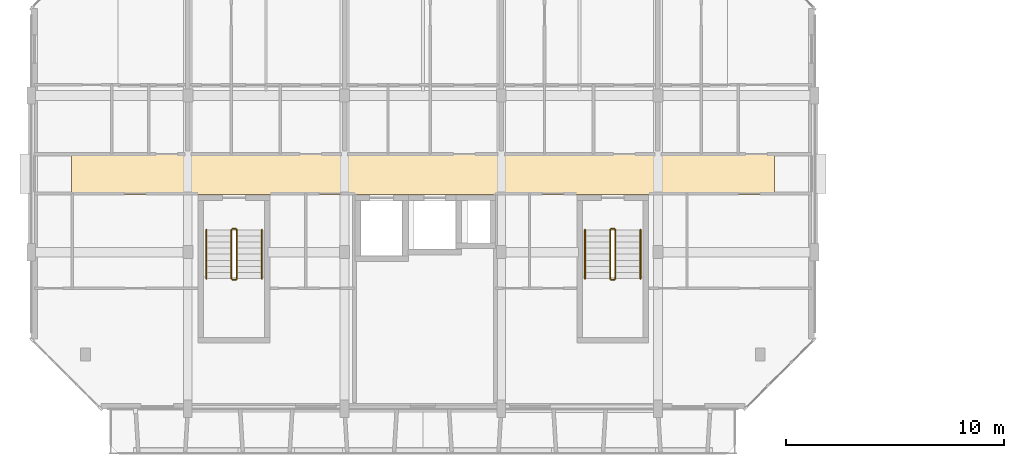
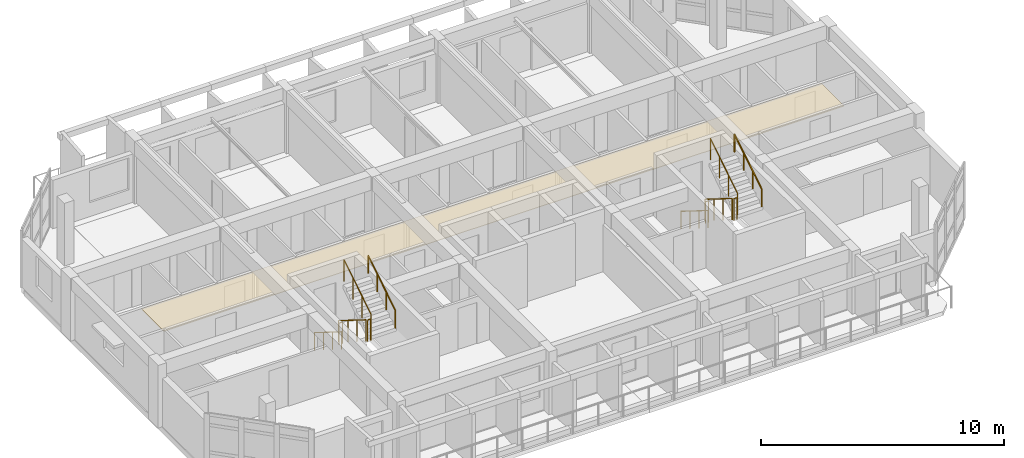
# One storey, part 34 of 40: 12 railings, 1 covering.
"""IFC4 building model written with IfcOpenShell, lengths in metres."""

from ifc_helpers import new_model, si_unit, direction, frame, origin, origin_2d, place, context, subcontext, project, spatial, polyline, circle, outline, extrude, material, layer, layer_set, type_object, element, save


model = new_model("IFC4")

# Units and contexts
model_context = context("Model", 3, precision=1e-05, world=origin(), true_north=direction((0.0, 1.0)))
body_context = subcontext(model_context, "Body", "Model", "MODEL_VIEW")
ifc_project = project(units=[si_unit("LENGTHUNIT", "METRE"), si_unit("AREAUNIT", "SQUARE_METRE"), si_unit("VOLUMEUNIT", "CUBIC_METRE"), si_unit("PLANEANGLEUNIT", "RADIAN"), si_unit("MASSUNIT", "GRAM", prefix="KILO")], contexts=[model_context])

# Site, building, storey
site_placement = place(None, origin())
site = spatial("IfcSite", under=ifc_project, at=site_placement, CompositionType="ELEMENT")
building_placement = place(site_placement, origin())
building = spatial("IfcBuilding", under=site, at=building_placement, Name="Ochrevale Crest", CompositionType="ELEMENT")
storey_placement = place(building_placement, frame((0.0, 0.0, 27.60009765625)))
storey = spatial("IfcBuildingStorey", under=building, at=storey_placement, Name="L08", CompositionType="ELEMENT", Elevation=27.60009765625)

# Covering
ifc_material_1 = material(Name="Gypsum plasterboard", Category="gypsum")
ifc_layer = layer(ifc_material_1, 0.02490234375)
ifc_layer_set = layer_set([ifc_layer], Name="Gypsum plasterboard")
covering_type = type_object("IfcCoveringType", Name="COV-CEIL-GYP", PredefinedType="CEILING", material=ifc_layer_set)
covering_placement = place(storey_placement, frame((0.0, 0.0, 2.27978515625)))
element("IfcCovering", 1, at=covering_placement, inside=storey, type_object=covering_type, Name="Block B L08 acoustic corridor ceiling", PredefinedType="CEILING", context=body_context, shape_type="SweptSolid", body=[
    extrude(outline(polyline([(1.85009765625, 81.860107421875), (34.14990234375, 81.860107421875), (34.14990234375, 83.739990234375), (1.85009765625, 83.739990234375), (1.85009765625, 81.860107421875)])), origin(), (0.0, 0.0, 1.0), 0.025146484375),
])

# Railings
ifc_material_2 = material(Name="Galvanised steel", Category="steel")
railing_type_1 = type_object("IfcRailingType", Name="RL-ST-GUARD", PredefinedType="BALUSTRADE", material=ifc_material_2)
railing_1_placement = place(storey_placement, frame((9.199951171875, 80.22509765625, 0.1748046875)))
element("IfcRailing", 2, at=railing_1_placement, inside=storey, type_object=railing_type_1, Name="L08 ST-B1 stair guard 1", PredefinedType="BALUSTRADE", context=body_context, shape_type="SweptSolid", body=[
    extrude(circle(Radius=0.02392578125, at=origin_2d()), frame((0.0, 0.0, 1.076171875), z_axis=(0.0, -0.847972341737, 0.530040477369), x_axis=(1.0, 0.0, 0.0)), (0.0, 0.0, 1.0), 2.6416015625),
    extrude(circle(Radius=0.02099609375, at=origin_2d()), origin(), (0.0, 0.0, 1.0), 1.052001953125),
    extrude(circle(Radius=0.02099609375, at=origin_2d()), frame((0.0, -0.74658203125, 0.466796875)), (0.0, 0.0, 1.0), 1.052001953125),
    extrude(circle(Radius=0.02099609375, at=origin_2d()), frame((0.0, -1.493408203125, 0.933349609375)), (0.0, 0.0, 1.0), 1.052001953125),
    extrude(circle(Radius=0.02099609375, at=origin_2d()), frame((0.0, -2.239990234375, 1.400146484375)), (0.0, 0.0, 1.0), 1.052001953125),
])
railing_2_placement = place(storey_placement, frame((9.25, 77.93505859375, 1.574951171875)))
element("IfcRailing", 3, at=railing_2_placement, inside=storey, type_object=railing_type_1, Name="L08 ST-B1 stair guard 2", PredefinedType="BALUSTRADE", context=body_context, shape_type="SweptSolid", body=[
    extrude(circle(Radius=0.02392578125, at=origin_2d()), frame((0.0, 0.0, 1.076171875), z_axis=(1.0, 0.0, 0.0), x_axis=(0.0, 1.0, 0.0)), (0.0, 0.0, 1.0), 0.14990234375),
    extrude(circle(Radius=0.02099609375, at=origin_2d()), origin(), (0.0, 0.0, 1.0), 1.052001953125),
    extrude(circle(Radius=0.02099609375, at=origin_2d()), frame((0.14990234375, 0.0, 0.0)), (0.0, 0.0, 1.0), 1.052001953125),
])
railing_3_placement = place(storey_placement, frame((9.449951171875, 77.985107421875, 1.75)))
element("IfcRailing", 4, at=railing_3_placement, inside=storey, type_object=railing_type_1, Name="L08 ST-B1 stair guard 3", PredefinedType="BALUSTRADE", context=body_context, shape_type="SweptSolid", body=[
    extrude(circle(Radius=0.02392578125, at=origin_2d()), frame((0.0, 0.0, 1.076171875), z_axis=(0.0, 0.848013881152, 0.529974015752), x_axis=(-1.0, 0.0, 0.0)), (0.0, 0.0, 1.0), 2.641357421875),
    extrude(circle(Radius=0.02099609375, at=origin_2d()), origin(), (0.0, 0.0, 1.0), 1.052001953125),
    extrude(circle(Radius=0.02099609375, at=origin_2d()), frame((0.0, 0.74658203125, 0.466552734375)), (0.0, 0.0, 1.0), 1.052001953125),
    extrude(circle(Radius=0.02099609375, at=origin_2d()), frame((0.0, 1.493408203125, 0.933349609375)), (0.0, 0.0, 1.0), 1.052001953125),
    extrude(circle(Radius=0.02099609375, at=origin_2d()), frame((0.0, 2.239990234375, 1.39990234375)), (0.0, 0.0, 1.0), 1.052001953125),
])
railing_4_placement = place(storey_placement, frame((9.25, 80.27490234375, 0.0)))
element("IfcRailing", 5, at=railing_4_placement, inside=storey, type_object=railing_type_1, Name="L08 ST-B1 stair guard 4", PredefinedType="BALUSTRADE", context=body_context, shape_type="SweptSolid", body=[
    extrude(circle(Radius=0.02392578125, at=origin_2d()), frame((0.0, 0.0, 1.076171875), z_axis=(1.0, 0.0, 0.0), x_axis=(0.0, 1.0, 0.0)), (0.0, 0.0, 1.0), 0.14990234375),
    extrude(circle(Radius=0.02099609375, at=origin_2d()), origin(), (0.0, 0.0, 1.0), 1.052001953125),
    extrude(circle(Radius=0.02099609375, at=origin_2d()), frame((0.14990234375, 0.0, 0.0)), (0.0, 0.0, 1.0), 1.052001953125),
])
railing_5_placement = place(storey_placement, frame((26.60009765625, 80.22509765625, 0.1748046875)))
element("IfcRailing", 6, at=railing_5_placement, inside=storey, type_object=railing_type_1, Name="L08 ST-B2 stair guard 1", PredefinedType="BALUSTRADE", context=body_context, shape_type="SweptSolid", body=[
    extrude(circle(Radius=0.02392578125, at=origin_2d()), frame((0.0, 0.0, 1.076171875), z_axis=(0.0, -0.847972341737, 0.530040477369), x_axis=(1.0, 0.0, 0.0)), (0.0, 0.0, 1.0), 2.6416015625),
    extrude(circle(Radius=0.02099609375, at=origin_2d()), origin(), (0.0, 0.0, 1.0), 1.052001953125),
    extrude(circle(Radius=0.02099609375, at=origin_2d()), frame((0.0, -0.74658203125, 0.466796875)), (0.0, 0.0, 1.0), 1.052001953125),
    extrude(circle(Radius=0.02099609375, at=origin_2d()), frame((0.0, -1.493408203125, 0.933349609375)), (0.0, 0.0, 1.0), 1.052001953125),
    extrude(circle(Radius=0.02099609375, at=origin_2d()), frame((0.0, -2.239990234375, 1.400146484375)), (0.0, 0.0, 1.0), 1.052001953125),
])
railing_6_placement = place(storey_placement, frame((26.64990234375, 77.93505859375, 1.574951171875)))
element("IfcRailing", 7, at=railing_6_placement, inside=storey, type_object=railing_type_1, Name="L08 ST-B2 stair guard 2", PredefinedType="BALUSTRADE", context=body_context, shape_type="SweptSolid", body=[
    extrude(circle(Radius=0.02392578125, at=origin_2d()), frame((0.0, 0.0, 1.076171875), z_axis=(1.0, 0.0, 0.0), x_axis=(0.0, 1.0, 0.0)), (0.0, 0.0, 1.0), 0.150146484375),
    extrude(circle(Radius=0.02099609375, at=origin_2d()), origin(), (0.0, 0.0, 1.0), 1.052001953125),
    extrude(circle(Radius=0.02099609375, at=origin_2d()), frame((0.150146484375, 0.0, 0.0)), (0.0, 0.0, 1.0), 1.052001953125),
])
railing_7_placement = place(storey_placement, frame((26.85009765625, 77.985107421875, 1.75)))
element("IfcRailing", 8, at=railing_7_placement, inside=storey, type_object=railing_type_1, Name="L08 ST-B2 stair guard 3", PredefinedType="BALUSTRADE", context=body_context, shape_type="SweptSolid", body=[
    extrude(circle(Radius=0.02392578125, at=origin_2d()), frame((0.0, 0.0, 1.076171875), z_axis=(0.0, 0.848013881152, 0.529974015752), x_axis=(-1.0, 0.0, 0.0)), (0.0, 0.0, 1.0), 2.641357421875),
    extrude(circle(Radius=0.02099609375, at=origin_2d()), origin(), (0.0, 0.0, 1.0), 1.052001953125),
    extrude(circle(Radius=0.02099609375, at=origin_2d()), frame((0.0, 0.74658203125, 0.466552734375)), (0.0, 0.0, 1.0), 1.052001953125),
    extrude(circle(Radius=0.02099609375, at=origin_2d()), frame((0.0, 1.493408203125, 0.933349609375)), (0.0, 0.0, 1.0), 1.052001953125),
    extrude(circle(Radius=0.02099609375, at=origin_2d()), frame((0.0, 2.239990234375, 1.39990234375)), (0.0, 0.0, 1.0), 1.052001953125),
])
railing_8_placement = place(storey_placement, frame((26.64990234375, 80.27490234375, 0.0)))
element("IfcRailing", 9, at=railing_8_placement, inside=storey, type_object=railing_type_1, Name="L08 ST-B2 stair guard 4", PredefinedType="BALUSTRADE", context=body_context, shape_type="SweptSolid", body=[
    extrude(circle(Radius=0.02392578125, at=origin_2d()), frame((0.0, 0.0, 1.076171875), z_axis=(1.0, 0.0, 0.0), x_axis=(0.0, 1.0, 0.0)), (0.0, 0.0, 1.0), 0.150146484375),
    extrude(circle(Radius=0.02099609375, at=origin_2d()), origin(), (0.0, 0.0, 1.0), 1.052001953125),
    extrude(circle(Radius=0.02099609375, at=origin_2d()), frame((0.150146484375, 0.0, 0.0)), (0.0, 0.0, 1.0), 1.052001953125),
])
ifc_material_3 = material(Name="Stainless steel", Category="steel")
railing_type_2 = type_object("IfcRailingType", Name="RL-ST-HRAIL", PredefinedType="HANDRAIL", material=ifc_material_3)
railing_9_placement = place(storey_placement, frame((8.050048828125, 80.22509765625, 0.1748046875)))
element("IfcRailing", 10, at=railing_9_placement, inside=storey, type_object=railing_type_2, Name="L08 ST-B1 stair handrail 1", PredefinedType="HANDRAIL", context=body_context, shape_type="SweptSolid", body=[
    extrude(circle(Radius=0.02392578125, at=origin_2d()), frame((0.0, 0.0, 0.8759765625), z_axis=(0.0, -0.847972341737, 0.530040477369), x_axis=(1.0, 0.0, 0.0)), (0.0, 0.0, 1.0), 2.6416015625),
    extrude(circle(Radius=0.02099609375, at=origin_2d()), origin(), (0.0, 0.0, 1.0), 0.851806640625),
    extrude(circle(Radius=0.02099609375, at=origin_2d()), frame((0.0, -0.74658203125, 0.466796875)), (0.0, 0.0, 1.0), 0.851806640625),
    extrude(circle(Radius=0.02099609375, at=origin_2d()), frame((0.0, -1.493408203125, 0.933349609375)), (0.0, 0.0, 1.0), 0.851806640625),
    extrude(circle(Radius=0.02099609375, at=origin_2d()), frame((0.0, -2.239990234375, 1.400146484375)), (0.0, 0.0, 1.0), 0.851806640625),
])
railing_10_placement = place(storey_placement, frame((10.60009765625, 77.985107421875, 1.75)))
element("IfcRailing", 11, at=railing_10_placement, inside=storey, type_object=railing_type_2, Name="L08 ST-B1 stair handrail 2", PredefinedType="HANDRAIL", context=body_context, shape_type="SweptSolid", body=[
    extrude(circle(Radius=0.02392578125, at=origin_2d()), frame((0.0, 0.0, 0.8759765625), z_axis=(0.0, 0.848013881152, 0.529974015752), x_axis=(-1.0, 0.0, 0.0)), (0.0, 0.0, 1.0), 2.641357421875),
    extrude(circle(Radius=0.02099609375, at=origin_2d()), origin(), (0.0, 0.0, 1.0), 0.851806640625),
    extrude(circle(Radius=0.02099609375, at=origin_2d()), frame((0.0, 0.74658203125, 0.466552734375)), (0.0, 0.0, 1.0), 0.851806640625),
    extrude(circle(Radius=0.02099609375, at=origin_2d()), frame((0.0, 1.493408203125, 0.933349609375)), (0.0, 0.0, 1.0), 0.851806640625),
    extrude(circle(Radius=0.02099609375, at=origin_2d()), frame((0.0, 2.239990234375, 1.39990234375)), (0.0, 0.0, 1.0), 0.851806640625),
])
railing_11_placement = place(storey_placement, frame((25.449951171875, 80.22509765625, 0.1748046875)))
element("IfcRailing", 12, at=railing_11_placement, inside=storey, type_object=railing_type_2, Name="L08 ST-B2 stair handrail 1", PredefinedType="HANDRAIL", context=body_context, shape_type="SweptSolid", body=[
    extrude(circle(Radius=0.02392578125, at=origin_2d()), frame((0.0, 0.0, 0.8759765625), z_axis=(0.0, -0.847972341737, 0.530040477369), x_axis=(1.0, 0.0, 0.0)), (0.0, 0.0, 1.0), 2.6416015625),
    extrude(circle(Radius=0.02099609375, at=origin_2d()), origin(), (0.0, 0.0, 1.0), 0.851806640625),
    extrude(circle(Radius=0.02099609375, at=origin_2d()), frame((0.0, -0.74658203125, 0.466796875)), (0.0, 0.0, 1.0), 0.851806640625),
    extrude(circle(Radius=0.02099609375, at=origin_2d()), frame((0.0, -1.493408203125, 0.933349609375)), (0.0, 0.0, 1.0), 0.851806640625),
    extrude(circle(Radius=0.02099609375, at=origin_2d()), frame((0.0, -2.239990234375, 1.400146484375)), (0.0, 0.0, 1.0), 0.851806640625),
])
railing_12_placement = place(storey_placement, frame((28.0, 77.985107421875, 1.75)))
element("IfcRailing", 13, at=railing_12_placement, inside=storey, type_object=railing_type_2, Name="L08 ST-B2 stair handrail 2", PredefinedType="HANDRAIL", context=body_context, shape_type="SweptSolid", body=[
    extrude(circle(Radius=0.02392578125, at=origin_2d()), frame((0.0, 0.0, 0.8759765625), z_axis=(0.0, 0.848013881152, 0.529974015752), x_axis=(-1.0, 0.0, 0.0)), (0.0, 0.0, 1.0), 2.641357421875),
    extrude(circle(Radius=0.02099609375, at=origin_2d()), origin(), (0.0, 0.0, 1.0), 0.851806640625),
    extrude(circle(Radius=0.02099609375, at=origin_2d()), frame((0.0, 0.74658203125, 0.466552734375)), (0.0, 0.0, 1.0), 0.851806640625),
    extrude(circle(Radius=0.02099609375, at=origin_2d()), frame((0.0, 1.493408203125, 0.933349609375)), (0.0, 0.0, 1.0), 0.851806640625),
    extrude(circle(Radius=0.02099609375, at=origin_2d()), frame((0.0, 2.239990234375, 1.39990234375)), (0.0, 0.0, 1.0), 0.851806640625),
])

save(model, "model.ifc")
